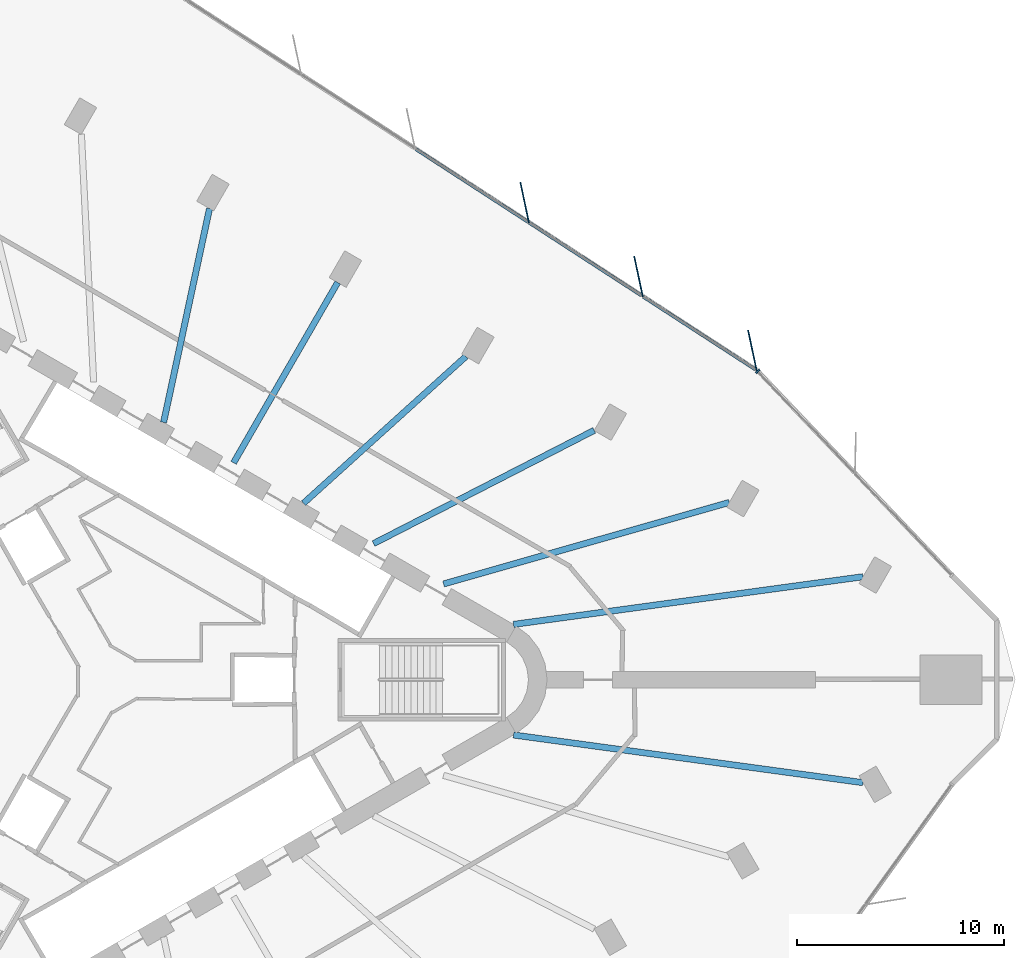
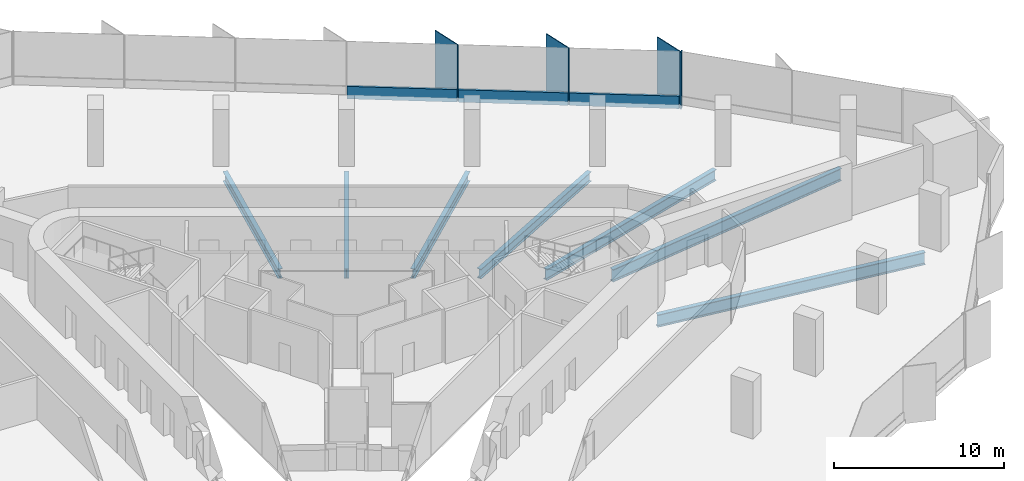
# One storey, part 5 of 14: 7 beams, 7 members, 2 elements without a shape of their own.
"""IFC4 building model written with IfcOpenShell, lengths in metres."""

from ifc_helpers import new_model, si_unit, direction, frame, origin, origin_2d, place, context, subcontext, project, spatial, rectangle, i_section, extrude, material, material_profile, profile_set, type_object, element, aggregate, save


model = new_model("IFC4")

# Units and contexts
model_context = context("Model", 3, precision=1e-05, world=origin(), true_north=direction((0.0, 1.0)))
body_context = subcontext(model_context, "Body", "Model", "MODEL_VIEW")
ifc_project = project(units=[si_unit("LENGTHUNIT", "METRE"), si_unit("AREAUNIT", "SQUARE_METRE"), si_unit("VOLUMEUNIT", "CUBIC_METRE"), si_unit("PLANEANGLEUNIT", "RADIAN"), si_unit("MASSUNIT", "GRAM", prefix="KILO")], contexts=[model_context])

# Site, building, storey
site_placement = place(None, origin())
site = spatial("IfcSite", under=ifc_project, at=site_placement, CompositionType="ELEMENT")
building_placement = place(site_placement, origin())
building = spatial("IfcBuilding", under=site, at=building_placement, Name="Tanit Gate Tower", CompositionType="ELEMENT")
storey_placement = place(building_placement, frame((0.0, 0.0, 111.10009765625)))
storey = spatial("IfcBuildingStorey", under=building, at=storey_placement, Name="L23", CompositionType="ELEMENT", Elevation=111.10009765625)

# Curtain wall, members
ifc_material_1 = material(Name="Aluminium bronze anodised and glass", Category="aluminium")
curtain_wall_type = type_object("IfcCurtainWallType", Name="Curtain wall typical low", PredefinedType="NOTDEFINED", material=ifc_material_1)
curtain_wall_1_placement = place(storey_placement, origin())
curtain_wall_1 = element("IfcCurtainWall", 1, at=curtain_wall_1_placement, inside=storey, type_object=curtain_wall_type, Name="Curtain wall L23 NE2", PredefinedType="NOTDEFINED")
ifc_material_2 = material(Name="Aluminium bronze anodised", Category="aluminium")
ifc_material_profile_1 = material_profile(ifc_material_2, rectangle(XDim=2.0, YDim=0.055908203125, at=origin_2d()), Name="56x2000 bronze fin mullion")
ifc_profile_set_1 = profile_set([ifc_material_profile_1], Name="Aluminium bronze anodised")
member_type_1 = type_object("IfcMemberType", Name="FIN MULLION 56x2000 bronze", PredefinedType="MULLION", material=ifc_profile_set_1)
member_1_placement = place(storey_placement, frame((31.11767578125, 15.91064453125, -0.300048828125), z_axis=(0.0, 0.0, 1.0), x_axis=(0.208237849046, -0.978078216824, 0.0)))
member_1 = element("IfcMember", 2, at=member_1_placement, type_object=member_type_1, Name="Fin mullion L23 NE2.1", PredefinedType="MULLION", context=body_context, shape_type="SweptSolid", body=[
    extrude(rectangle(XDim=2.0, YDim=0.055908203125, at=origin_2d()), origin(), (0.0, 0.0, 1.0), 4.099853515625),
])
member_2_placement = place(storey_placement, frame((25.61669921875, 19.480224609375, -0.300048828125), z_axis=(0.0, 0.0, 1.0), x_axis=(0.208237849046, -0.978078216824, 0.0)))
member_2 = element("IfcMember", 3, at=member_2_placement, type_object=member_type_1, Name="Fin mullion L23 NE2.2", PredefinedType="MULLION", context=body_context, shape_type="SweptSolid", body=[
    extrude(rectangle(XDim=2.0, YDim=0.055908203125, at=origin_2d()), origin(), (0.0, 0.0, 1.0), 4.099853515625),
])
member_3_placement = place(storey_placement, frame((20.11572265625, 23.050048828125, -0.300048828125), z_axis=(0.0, 0.0, 1.0), x_axis=(0.208237849046, -0.978078216824, 0.0)))
member_3 = element("IfcMember", 4, at=member_3_placement, type_object=member_type_1, Name="Fin mullion L23 NE2.3", PredefinedType="MULLION", context=body_context, shape_type="SweptSolid", body=[
    extrude(rectangle(XDim=2.0, YDim=0.055908203125, at=origin_2d()), origin(), (0.0, 0.0, 1.0), 4.099853515625),
])

# Curtain wall, member
curtain_wall_2_placement = place(storey_placement, origin())
curtain_wall_2 = element("IfcCurtainWall", 5, at=curtain_wall_2_placement, inside=storey, type_object=curtain_wall_type, Name="Curtain wall L23 NE1", PredefinedType="NOTDEFINED")
ifc_material_3 = material(Name="Aluminium bronze anodised", Category="aluminium")
ifc_material_profile_2 = material_profile(ifc_material_3, rectangle(XDim=0.239990234375, YDim=0.080078125, at=origin_2d()), Name="80x240 bronze mullion")
ifc_profile_set_2 = profile_set([ifc_material_profile_2], Name="Aluminium bronze anodised")
member_type_2 = type_object("IfcMemberType", Name="Mullion 80x240 typical low", PredefinedType="MULLION", material=ifc_profile_set_2)
member_4_placement = place(storey_placement, frame((31.38232421875, 14.90380859375, -0.300048828125), z_axis=(0.0, 0.0, 1.0), x_axis=(-0.724303531374, -0.689481250245, 0.0)))
member_4 = element("IfcMember", 6, at=member_4_placement, type_object=member_type_2, Name="Mullion L23 NE1.3", PredefinedType="MULLION", context=body_context, shape_type="SweptSolid", body=[
    extrude(rectangle(XDim=0.239990234375, YDim=0.080078125, at=origin_2d()), origin(), (0.0, 0.0, 1.0), 4.099853515625),
])
aggregate(curtain_wall_2, [member_4])

# Beams
ifc_material_4 = material(Name="Steel S355", Category="steel")
ifc_material_profile_3 = material_profile(ifc_material_4, i_section(OverallWidth=0.300048828125, OverallDepth=0.68994140625, WebThickness=0.014404296875, FlangeThickness=0.027099609375, FilletRadius=0.027099609375, at=origin_2d()), Name="HEA 700")
ifc_profile_set_3 = profile_set([ifc_material_profile_3], Name="Steel S355")
beam_type_1 = type_object("IfcBeamType", Name="RADIAL GIRDER HEA 700 S355", PredefinedType="BEAM", material=ifc_profile_set_3)
beam_1_placement = place(storey_placement, frame((23.4775390625, 12.04833984375, -0.64501953125), z_axis=(-0.889684882484, -0.456575086792, 0.0), x_axis=(0.456575086792, -0.889684882484, 0.0)))
element("IfcBeam", 7, at=beam_1_placement, inside=storey, type_object=beam_type_1, Name="RADIAL GIRDER", PredefinedType="BEAM", context=body_context, shape_type="SweptSolid", body=[
    extrude(i_section(OverallWidth=0.300048828125, OverallDepth=0.68994140625, WebThickness=0.014404296875, FlangeThickness=0.027099609375, FilletRadius=0.027099609375, at=origin_2d()), origin(), (0.0, 0.0, 1.0), 11.98583984375),
])
beam_2_placement = place(storey_placement, frame((17.27099609375, 15.615478515625, -0.64501953125), z_axis=(-0.741757410194, -0.670668281957, 0.0), x_axis=(0.670668281957, -0.741757410194, 0.0)))
element("IfcBeam", 8, at=beam_2_placement, inside=storey, type_object=beam_type_1, Name="RADIAL GIRDER", PredefinedType="BEAM", context=body_context, shape_type="SweptSolid", body=[
    extrude(i_section(OverallWidth=0.300048828125, OverallDepth=0.68994140625, WebThickness=0.014404296875, FlangeThickness=0.027099609375, FilletRadius=0.027099609375, at=origin_2d()), origin(), (0.0, 0.0, 1.0), 10.5673828125),
])
beam_3_placement = place(storey_placement, frame((11.07958984375, 19.190185546875, -0.64501953125), z_axis=(-0.500011042411, -0.866019028352, 0.0), x_axis=(0.866019028352, -0.500011042411, 0.0)))
element("IfcBeam", 9, at=beam_3_placement, inside=storey, type_object=beam_type_1, Name="RADIAL GIRDER", PredefinedType="BEAM", context=body_context, shape_type="SweptSolid", body=[
    extrude(i_section(OverallWidth=0.300048828125, OverallDepth=0.68994140625, WebThickness=0.014404296875, FlangeThickness=0.027099609375, FilletRadius=0.027099609375, at=origin_2d()), origin(), (0.0, 0.0, 1.0), 10.056884765625),
])
beam_4_placement = place(storey_placement, frame((4.887939453125, 22.764892578125, -0.64501953125), z_axis=(-0.209940874713, -0.977714083526, 0.0), x_axis=(0.977714083526, -0.209940874713, 0.0)))
element("IfcBeam", 10, at=beam_4_placement, inside=storey, type_object=beam_type_1, Name="RADIAL GIRDER", PredefinedType="BEAM", context=body_context, shape_type="SweptSolid", body=[
    extrude(i_section(OverallWidth=0.300048828125, OverallDepth=0.68994140625, WebThickness=0.014404296875, FlangeThickness=0.027099609375, FilletRadius=0.027099609375, at=origin_2d()), origin(), (0.0, 0.0, 1.0), 10.5673828125),
])
ifc_material_5 = material(Name="Steel S355", Category="steel")
ifc_material_profile_4 = material_profile(ifc_material_5, i_section(OverallWidth=0.300048828125, OverallDepth=0.7900390625, WebThickness=0.014892578125, FlangeThickness=0.028076171875, FilletRadius=0.030029296875, at=origin_2d()), Name="HEA 800")
ifc_profile_set_4 = profile_set([ifc_material_profile_4], Name="Steel S355")
beam_type_2 = type_object("IfcBeamType", Name="RADIAL GIRDER HEA 800 S355", PredefinedType="BEAM", material=ifc_profile_set_4)
beam_5_placement = place(storey_placement, frame((30.00146484375, 8.565185546875, -0.695068359375), z_axis=(-0.96158167718, -0.274518994083, 0.0), x_axis=(0.274518994083, -0.96158167718, 0.0)))
element("IfcBeam", 11, at=beam_5_placement, inside=storey, type_object=beam_type_2, Name="RADIAL GIRDER", PredefinedType="BEAM", context=body_context, shape_type="SweptSolid", body=[
    extrude(i_section(OverallWidth=0.300048828125, OverallDepth=0.7900390625, WebThickness=0.014892578125, FlangeThickness=0.028076171875, FilletRadius=0.030029296875, at=origin_2d()), origin(), (0.0, 0.0, 1.0), 14.357421875),
])
ifc_material_6 = material(Name="Steel S355", Category="steel")
ifc_material_profile_5 = material_profile(ifc_material_6, i_section(OverallWidth=0.300048828125, OverallDepth=0.889892578125, WebThickness=0.01611328125, FlangeThickness=0.030029296875, FilletRadius=0.030029296875, at=origin_2d()), Name="HEA 900")
ifc_profile_set_5 = profile_set([ifc_material_profile_5], Name="Steel S355")
beam_type_3 = type_object("IfcBeamType", Name="RADIAL GIRDER HEA 900 S355", PredefinedType="BEAM", material=ifc_profile_set_5)
for number, where, z_axis, x_axis, name in (
    (12, (36.4638671875, -4.9755859375, -0.7451171875), (-0.990818658111, 0.135197584074, 0.0), (-0.135197584074, -0.990818658111, 0.0), "RADIAL GIRDER"),
    (13, (36.4638671875, 4.9755859375, -0.7451171875), (-0.990818658111, -0.135197584074, 0.0), (0.135197584074, -0.990818658111, 0.0), "RADIAL GIRDER"),
):
    element("IfcBeam", number, at=place(storey_placement, frame(where, z_axis=z_axis, x_axis=x_axis)), inside=storey, type_object=beam_type_3, Name=name, PredefinedType="BEAM", context=body_context, shape_type="SweptSolid", body=[
        extrude(i_section(OverallWidth=0.300048828125, OverallDepth=0.889892578125, WebThickness=0.01611328125, FlangeThickness=0.030029296875, FilletRadius=0.030029296875, at=origin_2d()), origin(), (0.0, 0.0, 1.0), 17.043212890625),
    ])

# Member
ifc_material_7 = material(Name="Aluminium bronze anodised", Category="aluminium")
ifc_material_profile_6 = material_profile(ifc_material_7, rectangle(XDim=0.159912109375, YDim=0.89990234375, at=origin_2d()), Name="160x900 bronze transom")
ifc_profile_set_6 = profile_set([ifc_material_profile_6], Name="Aluminium bronze anodised")
member_type_3 = type_object("IfcMemberType", Name="Transom 160x900 typical low", PredefinedType="USERDEFINED", material=ifc_profile_set_6)
member_5_placement = place(storey_placement, frame((31.28759765625, 14.976318359375, 0.14990234375), z_axis=(-0.838857562398, 0.544350980533, 0.0), x_axis=(-0.544350980533, -0.838857562398, 0.0)))
member_5 = element("IfcMember", 14, at=member_5_placement, type_object=member_type_3, Name="Transom L23 NE2.1", ObjectType="TRANSOM", PredefinedType="USERDEFINED", context=body_context, shape_type="SweptSolid", body=[
    extrude(rectangle(XDim=0.159912109375, YDim=0.89990234375, at=origin_2d()), origin(), (0.0, 0.0, 1.0), 6.477783203125),
])

member_6_placement = place(storey_placement, frame((25.786865234375, 18.546142578125, 0.14990234375), z_axis=(-0.838857562398, 0.544350980533, 0.0), x_axis=(-0.544350980533, -0.838857562398, 0.0)))
member_6 = element("IfcMember", 15, at=member_6_placement, type_object=member_type_3, Name="Transom L23 NE2.2", ObjectType="TRANSOM", PredefinedType="USERDEFINED", context=body_context, shape_type="SweptSolid", body=[
    extrude(rectangle(XDim=0.159912109375, YDim=0.89990234375, at=origin_2d()), origin(), (0.0, 0.0, 1.0), 6.477783203125),
])

member_7_placement = place(storey_placement, frame((20.285888671875, 22.115966796875, 0.14990234375), z_axis=(-0.838857562398, 0.544350980533, 0.0), x_axis=(-0.544350980533, -0.838857562398, 0.0)))
member_7 = element("IfcMember", 16, at=member_7_placement, type_object=member_type_3, Name="Transom L23 NE2.3", ObjectType="TRANSOM", PredefinedType="USERDEFINED", context=body_context, shape_type="SweptSolid", body=[
    extrude(rectangle(XDim=0.159912109375, YDim=0.89990234375, at=origin_2d()), origin(), (0.0, 0.0, 1.0), 6.477783203125),
])

aggregate(curtain_wall_1, [member_1, member_2, member_3, member_5, member_6, member_7])

save(model, "model.ifc")
